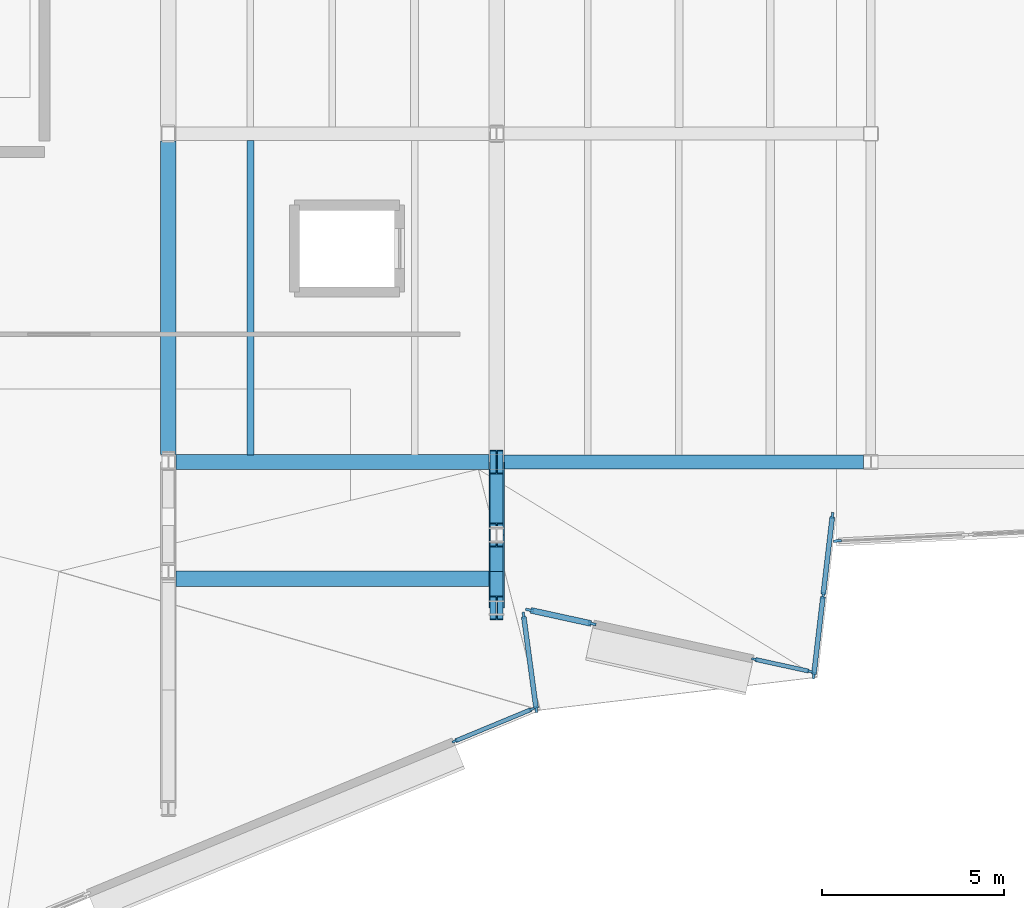
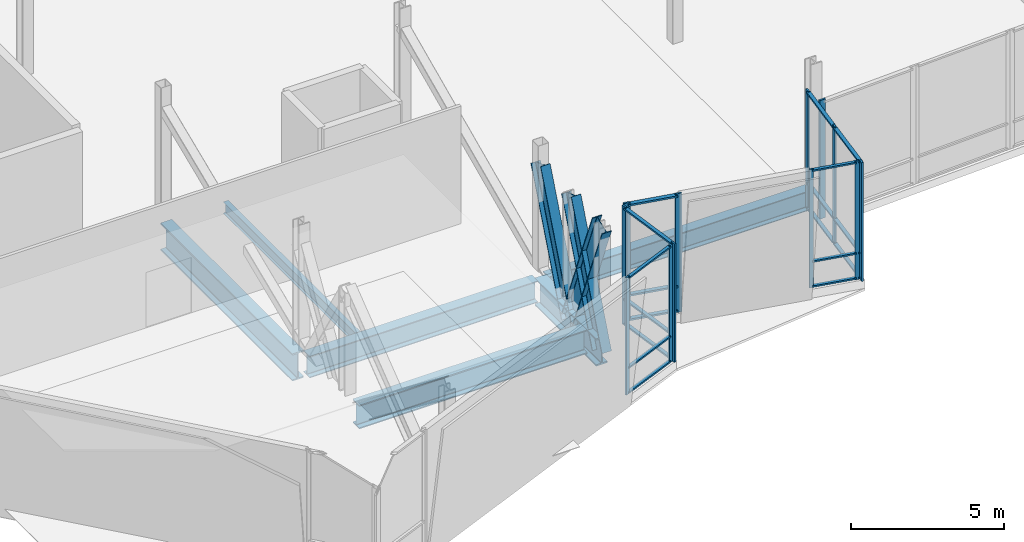
# One storey, part 16 of 73: 30 members, 10 beams, 6 elements without a shape of their own.
"""IFC4 building model written with IfcOpenShell, lengths in metres."""

import ifcopenshell
import ifcopenshell.guid

model = None  # the IFC model being written
_history = None  # IfcOwnerHistory: only IFC2X3 demands one
_inside = {}  # id of a spatial element -> (the spatial element, [elements in it])
_under = {}  # id of a project, library or spatial element -> (it, [spatial elements below it])
_declared = {}  # id of a project -> (the project, [libraries it declares])
_typed = {}  # id of a type object -> (the type object, [elements of that type])
_made_of = {}  # id of a material, layer set ... -> (it, [elements and type objects made of it])


def new_model(schema):
    """Start an empty IFC model of exactly this schema.

    Asked for "IFC4X3", IfcOpenShell would pick the latest addendum, in which some entities
    have other attributes; the version numbers below select the first issue.
    IFC2X3 requires an IfcOwnerHistory on every rooted entity: one is made here for all.
    """
    global model, _history
    if schema == "IFC4X3":
        model = ifcopenshell.file(schema_version=(4, 3, 0, 0))
    else:
        model = ifcopenshell.file(schema=schema)
    _inside.clear()
    _under.clear()
    _declared.clear()
    _typed.clear()
    _made_of.clear()
    _history = None
    if model.schema == "IFC2X3":
        org = make("IfcOrganization", Name="unknown")
        user = make(
            "IfcPersonAndOrganization",
            ThePerson=make("IfcPerson", FamilyName="unknown"),
            TheOrganization=org,
        )
        app = make(
            "IfcApplication",
            ApplicationDeveloper=org,
            Version="unknown",
            ApplicationFullName="unknown",
            ApplicationIdentifier="unknown",
        )
        _history = make(
            "IfcOwnerHistory",
            OwningUser=user,
            OwningApplication=app,
            ChangeAction="ADDED",
            CreationDate=0,
        )
    return model


def make(cls, **values):
    """One entity of the class cls with the attributes given. An attribute that is None is left unset."""
    return model.create_entity(
        cls, **{name: value for name, value in values.items() if value is not None}
    )


def rooted(cls, **values):
    """An entity with a GlobalId (a new one), such as an element, a storey or a relation."""
    return make(cls, GlobalId=ifcopenshell.guid.new(), OwnerHistory=_history, **values)


def si_unit(unit_type, name, prefix=None):
    """IfcSIUnit, for example si_unit("LENGTHUNIT", "METRE", prefix="MILLI")."""
    return make("IfcSIUnit", UnitType=unit_type, Prefix=prefix, Name=name)


def assignment(units):
    """IfcUnitAssignment: the units of a project."""
    return None if units is None else make("IfcUnitAssignment", Units=units)


def point(xyz):
    """IfcCartesianPoint."""
    return None if xyz is None else make("IfcCartesianPoint", Coordinates=xyz)


def direction(xyz):
    """IfcDirection."""
    return None if xyz is None else make("IfcDirection", DirectionRatios=xyz)


def frame(location, z_axis=None, x_axis=None):
    """IfcAxis2Placement3D, a coordinate frame: its origin and axes. An axis left out is left unset."""
    return make(
        "IfcAxis2Placement3D",
        Location=point(location),
        Axis=direction(z_axis),
        RefDirection=direction(x_axis),
    )


def frame_2d(location, x_axis=None):
    """IfcAxis2Placement2D, a coordinate frame in the plane: its origin and x axis."""
    return make(
        "IfcAxis2Placement2D", Location=point(location), RefDirection=direction(x_axis)
    )


def origin():
    """The frame at (0, 0, 0) with its axes left unset."""
    return frame((0.0, 0.0, 0.0))


def origin_2d():
    """The frame at (0, 0) in the plane with its x axis left unset."""
    return frame_2d((0.0, 0.0))


def place(relative_to, where):
    """IfcLocalPlacement: puts the frame where relative to a parent placement (None: the world)."""
    return make(
        "IfcLocalPlacement", PlacementRelTo=relative_to, RelativePlacement=where
    )


def context(
    kind, dimensions, precision=None, world=None, true_north=None, identifier=None
):
    """IfcGeometricRepresentationContext, for example the 3D "Model" context."""
    return make(
        "IfcGeometricRepresentationContext",
        ContextIdentifier=identifier,
        ContextType=kind,
        CoordinateSpaceDimension=dimensions,
        Precision=precision,
        WorldCoordinateSystem=world,
        TrueNorth=true_north,
    )


def subcontext(parent, identifier, kind, view, scale=None):
    """IfcGeometricRepresentationSubContext, for example "Body" below "Model"."""
    return make(
        "IfcGeometricRepresentationSubContext",
        ContextIdentifier=identifier,
        ContextType=kind,
        ParentContext=parent,
        TargetScale=scale,
        TargetView=view,
    )


def project(units=None, contexts=None):
    """IfcProject with its units and contexts."""
    return rooted(
        "IfcProject",
        Name="project",
        RepresentationContexts=contexts,
        UnitsInContext=assignment(units),
    )


def spatial(cls, under=None, at=None, **own):
    """A site, building, storey or space (cls), placed at a placement, below another one or the project."""
    s = rooted(cls, ObjectPlacement=at, **own)
    if under is not None:
        _under.setdefault(under.id(), (under, []))[1].append(s)
    return s


def profile(cls, at=None, kind="AREA", **sizes):
    """A parametric profile (cls). Its sizes go by their IFC names, for example OverallWidth=200.0."""
    return make(cls, ProfileType=kind, Position=at, **sizes)


def rectangle(**sizes):
    """IfcRectangleProfileDef."""
    return profile("IfcRectangleProfileDef", **sizes)


def i_section(**sizes):
    """IfcIShapeProfileDef."""
    return profile("IfcIShapeProfileDef", **sizes)


def extrude(swept, where, along, depth):
    """IfcExtrudedAreaSolid: the profile swept, set in the frame where, extruded along a direction by depth."""
    return make(
        "IfcExtrudedAreaSolid",
        SweptArea=swept,
        Position=where,
        ExtrudedDirection=direction(along),
        Depth=depth,
    )


def shape(context_of_items, identifier, shape_type, items):
    """IfcShapeRepresentation: the items that make up one representation, for example the "Body"."""
    return make(
        "IfcShapeRepresentation",
        ContextOfItems=context_of_items,
        RepresentationIdentifier=identifier,
        RepresentationType=shape_type,
        Items=items,
    )


def material(Name=None, Category=None):
    """IfcMaterial."""
    return make("IfcMaterial", Name=Name, Category=Category)


def material_profile(
    of_material, cross_section, Name=None, Category=None, Priority=None
):
    """IfcMaterialProfile: a cross section and its material."""
    return make(
        "IfcMaterialProfile",
        Name=Name,
        Material=of_material,
        Profile=cross_section,
        Priority=Priority,
        Category=Category,
    )


def profile_set(profiles, Name=None, composite=None):
    """IfcMaterialProfileSet."""
    return make(
        "IfcMaterialProfileSet",
        Name=Name,
        MaterialProfiles=profiles,
        CompositeProfile=composite,
    )


def made_of(thing, what):
    """Note that an element or type object is made of a material, layer set ...; save() writes the relation."""
    if what is not None:
        _made_of.setdefault(what.id(), (what, []))[1].append(thing)
    return thing


def type_object(cls, material=None, **own):
    """A type object (cls), such as IfcWallType, which elements share."""
    return made_of(rooted(cls, **own), material)


def element(
    cls,
    number,
    at=None,
    inside=None,
    cuts=None,
    type_object=None,
    material=None,
    context=None,
    identifier="Body",
    shape_type=None,
    held_by="IfcProductDefinitionShape",
    body=None,
    shapes=None,
    **own,
):
    """One element of the class cls, such as IfcWall. Its Tag is "e" and its number.

    at: its placement. inside: the storey or other place that contains it. cuts: it is an
    opening in that element (IfcRelVoidsElement). A single representation is given by context,
    identifier, shape_type and body (its items); several are given by shapes. held_by: the class
    of the entity that holds the representations. save() writes the other relations.
    """
    e = rooted(cls, Tag="e%d" % number, ObjectPlacement=at, **own)
    if body is not None:
        shapes = [shape(context, identifier, shape_type, body)]
    if shapes is not None:
        e.Representation = make(held_by, Representations=shapes)
    if inside is not None:
        _inside.setdefault(inside.id(), (inside, []))[1].append(e)
    if cuts is not None:
        rooted(
            "IfcRelVoidsElement", RelatingBuildingElement=cuts, RelatedOpeningElement=e
        )
    if type_object is not None:
        _typed.setdefault(type_object.id(), (type_object, []))[1].append(e)
    return made_of(e, material)


def aggregate(whole, parts):
    """IfcRelAggregates: a whole, such as a stair, and the parts it consists of."""
    return rooted("IfcRelAggregates", RelatingObject=whole, RelatedObjects=parts)


def save(model, path):
    """Write the relations noted so far, then the file.

    IfcRelAggregates (storeys below a building ...), IfcRelContainedInSpatialStructure (elements
    in a storey), IfcRelDefinesByType, IfcRelAssociatesMaterial and IfcRelDeclares: one each for
    every whole, place, type object, material and project.
    """
    for whole, parts in _under.values():
        aggregate(whole, parts)
    for where, things in _inside.values():
        rooted(
            "IfcRelContainedInSpatialStructure",
            RelatedElements=things,
            RelatingStructure=where,
        )
    for kind, things in _typed.values():
        rooted("IfcRelDefinesByType", RelatedObjects=things, RelatingType=kind)
    for what, things in _made_of.values():
        rooted("IfcRelAssociatesMaterial", RelatedObjects=things, RelatingMaterial=what)
    for by, libraries in _declared.values():
        rooted("IfcRelDeclares", RelatingContext=by, RelatedDefinitions=libraries)
    model.write(path)


model = new_model("IFC4")

# Units and contexts
model_context = context("Model", 3, precision=1e-05, world=origin(), true_north=direction((0.0, 1.0)))
body_context = subcontext(model_context, "Body", "Model", "MODEL_VIEW")
ifc_project = project(units=[si_unit("LENGTHUNIT", "METRE"), si_unit("AREAUNIT", "SQUARE_METRE"), si_unit("VOLUMEUNIT", "CUBIC_METRE"), si_unit("PLANEANGLEUNIT", "RADIAN"), si_unit("MASSUNIT", "GRAM", prefix="KILO")], contexts=[model_context])

# Site, building, storey
site_placement = place(None, origin())
site = spatial("IfcSite", under=ifc_project, at=site_placement, CompositionType="ELEMENT")
building_placement = place(site_placement, origin())
building = spatial("IfcBuilding", under=site, at=building_placement, Name="Trimount Lyric Opera House", CompositionType="ELEMENT")
storey_placement = place(building_placement, frame((0.0, 0.0, 10.0)))
storey = spatial("IfcBuildingStorey", under=building, at=storey_placement, Name="L02", CompositionType="ELEMENT", Elevation=10.0)

# Beams
ifc_material_1 = material(Name="Steel ASTM A992 Grade 50", Category="steel")
ifc_material_profile_1 = material_profile(ifc_material_1, i_section(OverallWidth=0.424072265625, OverallDepth=0.947021484375, WebThickness=0.02392578125, FlangeThickness=0.042724609375, FilletRadius=0.02392578125, at=origin_2d()), Name="W36X302")
ifc_profile_set_1 = profile_set([ifc_material_profile_1], Name="Steel ASTM A992 Grade 50")
beam_type_1 = type_object("IfcBeamType", Name="B-01", PredefinedType="BEAM", material=ifc_profile_set_1)
beam_1_placement = place(storey_placement, frame((45.21337890625, 22.800048828125, -0.823486328125), z_axis=(1.0, 0.0, 0.0), x_axis=(0.0, 1.0, 0.0)))
element("IfcBeam", 1, at=beam_1_placement, inside=storey, type_object=beam_type_1, Name="L02 crystal transverse girder 45", PredefinedType="BEAM", context=body_context, shape_type="SweptSolid", body=[
    extrude(i_section(OverallWidth=0.424072265625, OverallDepth=0.947021484375, WebThickness=0.02392578125, FlangeThickness=0.042724609375, FilletRadius=0.02392578125, at=origin_2d()), origin(), (0.0, 0.0, 1.0), 8.5732421875),
])
ifc_material_2 = material(Name="Steel ASTM A992 Grade 50", Category="steel")
ifc_material_profile_2 = material_profile(ifc_material_2, i_section(OverallWidth=0.40087890625, OverallDepth=0.861083984375, WebThickness=0.019775390625, FlangeThickness=0.032470703125, FilletRadius=0.02001953125, at=origin_2d()), Name="W33X221")
ifc_profile_set_2 = profile_set([ifc_material_profile_2], Name="Steel ASTM A992 Grade 50")
beam_type_2 = type_object("IfcBeamType", Name="B-04", PredefinedType="BEAM", material=ifc_profile_set_2)
beam_2_placement = place(storey_placement, frame((45.202880859375, 26.0, -0.780517578125), z_axis=(1.0, 0.0, 0.0), x_axis=(0.0, 1.0, 0.0)))
element("IfcBeam", 2, at=beam_2_placement, inside=storey, type_object=beam_type_2, Name="L02 girder X-0714", PredefinedType="BEAM", context=body_context, shape_type="SweptSolid", body=[
    extrude(i_section(OverallWidth=0.40087890625, OverallDepth=0.861083984375, WebThickness=0.019775390625, FlangeThickness=0.032470703125, FilletRadius=0.02001953125, at=origin_2d()), origin(), (0.0, 0.0, 1.0), 8.593994140625),
])
ifc_material_3 = material(Name="Steel ASTM A992 Grade 50", Category="steel")
ifc_material_profile_3 = material_profile(ifc_material_3, i_section(OverallWidth=0.382080078125, OverallDepth=0.779052734375, WebThickness=0.01806640625, FlangeThickness=0.0302734375, FilletRadius=0.01904296875, at=origin_2d()), Name="W30X191")
ifc_profile_set_3 = profile_set([ifc_material_profile_3], Name="Steel ASTM A992 Grade 50")
beam_type_3 = type_object("IfcBeamType", Name="B-06", PredefinedType="BEAM", material=ifc_profile_set_3)
beam_3_placement = place(storey_placement, frame((54.203125, 26.0, -0.739501953125), z_axis=(1.0, 0.0, 0.0), x_axis=(0.0, 1.0, 0.0)))
element("IfcBeam", 3, at=beam_3_placement, inside=storey, type_object=beam_type_3, Name="L02 girder X-0715", PredefinedType="BEAM", context=body_context, shape_type="SweptSolid", body=[
    extrude(i_section(OverallWidth=0.382080078125, OverallDepth=0.779052734375, WebThickness=0.01806640625, FlangeThickness=0.0302734375, FilletRadius=0.01904296875, at=origin_2d()), origin(), (0.0, 0.0, 1.0), 9.853759765625),
])
ifc_material_4 = material(Name="Steel ASTM A992 Grade 50", Category="steel")
ifc_material_profile_4 = material_profile(ifc_material_4, i_section(OverallWidth=0.35595703125, OverallDepth=0.700927734375, WebThickness=0.016845703125, FlangeThickness=0.02734375, FilletRadius=0.01806640625, at=origin_2d()), Name="W27X161")
ifc_profile_set_4 = profile_set([ifc_material_profile_4], Name="Steel ASTM A992 Grade 50")
beam_type_4 = type_object("IfcBeamType", Name="CTW-01", PredefinedType="USERDEFINED", material=ifc_profile_set_4)
for number, where, z_axis, x_axis, name in (
    (4, (54.0, 26.0, 4.12890625), (0.0, -0.369802384, -0.929110433042), (1.0, 0.0, 0.0), "L02 crystal truss 3 web raker 1"),
    (5, (54.0, 24.0, 4.12890625), (0.0, -0.369802384, -0.929110433042), (1.0, 0.0, 0.0), "L02 crystal truss 3 web raker 2"),
    (6, (54.0, 22.0, 4.12890625), (0.0, 0.369802384, -0.929110433042), (-1.0, 0.0, 0.0), "L02 crystal truss 3 prow counter raker"),
):
    element("IfcBeam", number, at=place(storey_placement, frame(where, z_axis=z_axis, x_axis=x_axis)), inside=storey, type_object=beam_type_4, Name=name, ObjectType="RAKER", PredefinedType="USERDEFINED", context=body_context, shape_type="SweptSolid", body=[
        extrude(i_section(OverallWidth=0.35595703125, OverallDepth=0.700927734375, WebThickness=0.016845703125, FlangeThickness=0.02734375, FilletRadius=0.01806640625, at=origin_2d()), origin(), (0.0, 0.0, 1.0), 5.408203125),
    ])
ifc_material_5 = material(Name="Steel ASTM A992 Grade 50", Category="steel")
ifc_material_profile_5 = material_profile(ifc_material_5, i_section(OverallWidth=0.19091796875, OverallDepth=0.45703125, WebThickness=0.009033203125, FlangeThickness=0.014404296875, FilletRadius=0.010986328125, at=origin_2d()), Name="W18X50")
ifc_profile_set_5 = profile_set([ifc_material_profile_5], Name="Steel ASTM A992 Grade 50")
beam_type_5 = type_object("IfcBeamType", Name="J-04", PredefinedType="BEAM", material=ifc_profile_set_5)
beam_4_placement = place(storey_placement, frame((47.25, 26.196533203125, -0.57861328125), z_axis=(0.0, 1.0, 0.0), x_axis=(-1.0, 0.0, 0.0)))
element("IfcBeam", 7, at=beam_4_placement, inside=storey, type_object=beam_type_5, Name="L02 composite floor joist 0846", PredefinedType="BEAM", context=body_context, shape_type="SweptSolid", body=[
    extrude(i_section(OverallWidth=0.19091796875, OverallDepth=0.45703125, WebThickness=0.009033203125, FlangeThickness=0.014404296875, FilletRadius=0.010986328125, at=origin_2d()), origin(), (0.0, 0.0, 1.0), 8.616455078125),
])

# Curtain wall, member
ifc_material_6 = material(Name="Thermally Broken Aluminium and Low-E Glass", Category="aluminium")
curtain_wall_type_1 = type_object("IfcCurtainWallType", Name="CW-01", PredefinedType="NOTDEFINED", material=ifc_material_6)
curtain_wall_1_placement = place(storey_placement, origin())
curtain_wall_1 = element("IfcCurtainWall", 8, at=curtain_wall_1_placement, inside=storey, type_object=curtain_wall_type_1, Name="L02 curtain wall 186", PredefinedType="NOTDEFINED")
ifc_material_7 = material(Name="Anodised Aluminium 6063-T6", Category="aluminium")
ifc_material_profile_6 = material_profile(ifc_material_7, rectangle(XDim=0.070068359375, YDim=0.219970703125, at=origin_2d()), Name="ALU-MULL-70X220")
ifc_profile_set_6 = profile_set([ifc_material_profile_6], Name="Anodised Aluminium 6063-T6")
member_type_1 = type_object("IfcMemberType", Name="ML-01", PredefinedType="MULLION", material=ifc_profile_set_6)
member_1_placement = place(storey_placement, frame((63.347900390625, 23.835693359375, 0.0), z_axis=(0.0, 0.0, 1.0), x_axis=(0.04855957812, -0.998820287826, 0.0)))
member_1 = element("IfcMember", 9, at=member_1_placement, type_object=member_type_1, Name="CW-01 mullion 2", PredefinedType="MULLION", context=body_context, shape_type="SweptSolid", body=[
    extrude(rectangle(XDim=0.070068359375, YDim=0.219970703125, at=origin_2d()), origin(), (0.0, 0.0, 1.0), 4.719970703125),
])
aggregate(curtain_wall_1, [member_1])

# Curtain wall, members
ifc_material_8 = material(Name="Thermally Broken Aluminium and Low-E Glass", Category="aluminium")
curtain_wall_type_2 = type_object("IfcCurtainWallType", Name="CW-02", PredefinedType="NOTDEFINED", material=ifc_material_8)
curtain_wall_2_placement = place(storey_placement, origin())
curtain_wall_2 = element("IfcCurtainWall", 10, at=curtain_wall_2_placement, inside=storey, type_object=curtain_wall_type_2, Name="L02 crystal fold glazed slit 189", PredefinedType="NOTDEFINED")
member_2_placement = place(storey_placement, frame((56.621826171875, 21.564453125, 0.0), z_axis=(0.0, 0.0, 1.0), x_axis=(-0.213631700602, -0.97691427285, 0.0)))
member_2 = element("IfcMember", 11, at=member_2_placement, type_object=member_type_1, Name="CW-02 mullion 1", PredefinedType="MULLION", context=body_context, shape_type="SweptSolid", body=[
    extrude(rectangle(XDim=0.070068359375, YDim=0.219970703125, at=origin_2d()), origin(), (0.0, 0.0, 1.0), 4.719970703125),
])
member_3_placement = place(storey_placement, frame((54.902099609375, 21.9404296875, 0.0), z_axis=(0.0, 0.0, 1.0), x_axis=(-0.213631700602, -0.97691427285, 0.0)))
member_3 = element("IfcMember", 12, at=member_3_placement, type_object=member_type_1, Name="CW-02 mullion 2", PredefinedType="MULLION", context=body_context, shape_type="SweptSolid", body=[
    extrude(rectangle(XDim=0.070068359375, YDim=0.219970703125, at=origin_2d()), origin(), (0.0, 0.0, 1.0), 4.719970703125),
])

curtain_wall_3_placement = place(storey_placement, origin())
curtain_wall_3 = element("IfcCurtainWall", 13, at=curtain_wall_3_placement, inside=storey, type_object=curtain_wall_type_2, Name="L02 crystal fold glazed slit 187", PredefinedType="NOTDEFINED")
ifc_material_9 = material(Name="Anodised Aluminium 6063-T6", Category="aluminium")
ifc_material_profile_7 = material_profile(ifc_material_9, rectangle(XDim=0.06494140625, YDim=0.179931640625, at=origin_2d()), Name="ALU-MULL-65X180")
ifc_profile_set_7 = profile_set([ifc_material_profile_7], Name="Anodised Aluminium 6063-T6")
member_type_2 = type_object("IfcMemberType", Name="ML-02", PredefinedType="MULLION", material=ifc_profile_set_7)
member_4_placement = place(storey_placement, frame((63.207275390625, 24.52978515625, 0.0), z_axis=(0.0, 0.0, 1.0), x_axis=(0.993238705784, -0.116089936398, 0.0)))
member_4 = element("IfcMember", 14, at=member_4_placement, type_object=member_type_2, Name="CW-02 mullion 1", PredefinedType="MULLION", context=body_context, shape_type="SweptSolid", body=[
    extrude(rectangle(XDim=0.06494140625, YDim=0.179931640625, at=origin_2d()), origin(), (0.0, 0.0, 1.0), 4.719970703125),
])
member_5_placement = place(storey_placement, frame((62.950927734375, 22.33740234375, 0.0), z_axis=(0.0, 0.0, 1.0), x_axis=(0.993238705784, -0.116089936398, 0.0)))
member_5 = element("IfcMember", 15, at=member_5_placement, type_object=member_type_2, Name="CW-02 mullion 2", PredefinedType="MULLION", context=body_context, shape_type="SweptSolid", body=[
    extrude(rectangle(XDim=0.06494140625, YDim=0.179931640625, at=origin_2d()), origin(), (0.0, 0.0, 1.0), 4.719970703125),
])
member_6_placement = place(storey_placement, frame((62.69482421875, 20.145263671875, 0.0), z_axis=(0.0, 0.0, 1.0), x_axis=(0.993238705784, -0.116089936398, 0.0)))
member_6 = element("IfcMember", 16, at=member_6_placement, type_object=member_type_2, Name="CW-02 mullion 3", PredefinedType="MULLION", context=body_context, shape_type="SweptSolid", body=[
    extrude(rectangle(XDim=0.06494140625, YDim=0.179931640625, at=origin_2d()), origin(), (0.0, 0.0, 1.0), 4.719970703125),
])

curtain_wall_4_placement = place(storey_placement, origin())
curtain_wall_4 = element("IfcCurtainWall", 17, at=curtain_wall_4_placement, inside=storey, type_object=curtain_wall_type_2, Name="L02 crystal fold glazed slit 190", PredefinedType="NOTDEFINED")
member_7_placement = place(storey_placement, frame((54.7392578125, 21.793701171875, 0.0), z_axis=(0.0, 0.0, 1.0), x_axis=(0.991036792222, 0.13358920788, 0.0)))
member_7 = element("IfcMember", 18, at=member_7_placement, type_object=member_type_2, Name="CW-02 mullion 1", PredefinedType="MULLION", context=body_context, shape_type="SweptSolid", body=[
    extrude(rectangle(XDim=0.06494140625, YDim=0.179931640625, at=origin_2d()), origin(), (0.0, 0.0, 1.0), 4.719970703125),
])
member_8_placement = place(storey_placement, frame((55.086669921875, 19.21728515625, 0.0), z_axis=(0.0, 0.0, 1.0), x_axis=(0.991036792222, 0.13358920788, 0.0)))
member_8 = element("IfcMember", 19, at=member_8_placement, type_object=member_type_2, Name="CW-02 mullion 2", PredefinedType="MULLION", context=body_context, shape_type="SweptSolid", body=[
    extrude(rectangle(XDim=0.06494140625, YDim=0.179931640625, at=origin_2d()), origin(), (0.0, 0.0, 1.0), 4.719970703125),
])

curtain_wall_5_placement = place(storey_placement, origin())
curtain_wall_5 = element("IfcCurtainWall", 20, at=curtain_wall_5_placement, inside=storey, type_object=curtain_wall_type_2, Name="L02 crystal fold glazed slit 188", PredefinedType="NOTDEFINED")
ifc_material_10 = material(Name="Anodised Aluminium 6063-T6", Category="aluminium")
ifc_material_profile_8 = material_profile(ifc_material_10, rectangle(XDim=0.06005859375, YDim=0.14990234375, at=origin_2d()), Name="ALU-MULL-60X150")
ifc_profile_set_8 = profile_set([ifc_material_profile_8], Name="Anodised Aluminium 6063-T6")
member_type_3 = type_object("IfcMemberType", Name="ML-03", PredefinedType="MULLION", material=ifc_profile_set_8)
member_9_placement = place(storey_placement, frame((62.587646484375, 20.259521484375, 0.0), z_axis=(0.0, 0.0, 1.0), x_axis=(-0.213789013894, -0.976879858293, 0.0)))
member_9 = element("IfcMember", 21, at=member_9_placement, type_object=member_type_3, Name="CW-02 mullion 1", PredefinedType="MULLION", context=body_context, shape_type="SweptSolid", body=[
    extrude(rectangle(XDim=0.06005859375, YDim=0.14990234375, at=origin_2d()), origin(), (0.0, 0.0, 1.0), 4.719970703125),
])
member_10_placement = place(storey_placement, frame((61.065185546875, 20.592529296875, 0.0), z_axis=(0.0, 0.0, 1.0), x_axis=(-0.213789013894, -0.976879858293, 0.0)))
member_10 = element("IfcMember", 22, at=member_10_placement, type_object=member_type_3, Name="CW-02 mullion 2", PredefinedType="MULLION", context=body_context, shape_type="SweptSolid", body=[
    extrude(rectangle(XDim=0.06005859375, YDim=0.14990234375, at=origin_2d()), origin(), (0.0, 0.0, 1.0), 4.719970703125),
])

curtain_wall_6_placement = place(storey_placement, origin())
curtain_wall_6 = element("IfcCurtainWall", 23, at=curtain_wall_6_placement, inside=storey, type_object=curtain_wall_type_2, Name="L02 crystal fold glazed slit 191", PredefinedType="NOTDEFINED")
member_11_placement = place(storey_placement, frame((54.96630859375, 19.221435546875, 0.0), z_axis=(0.0, 0.0, 1.0), x_axis=(0.383015022702, -0.923742113571, 0.0)))
member_11 = element("IfcMember", 24, at=member_11_placement, type_object=member_type_3, Name="CW-02 mullion 1", PredefinedType="MULLION", context=body_context, shape_type="SweptSolid", body=[
    extrude(rectangle(XDim=0.06005859375, YDim=0.14990234375, at=origin_2d()), origin(), (0.0, 0.0, 1.0), 4.675048828125),
])
member_12_placement = place(storey_placement, frame((52.8486328125, 18.343505859375, 0.0), z_axis=(0.0, 0.0, 1.0), x_axis=(0.383015022702, -0.923742113571, 0.0)))
member_12 = element("IfcMember", 25, at=member_12_placement, type_object=member_type_3, Name="CW-02 mullion 2", PredefinedType="MULLION", context=body_context, shape_type="SweptSolid", body=[
    extrude(rectangle(XDim=0.06005859375, YDim=0.14990234375, at=origin_2d()), origin(), (0.0, 0.0, 1.0), 4.675048828125),
])

# Beams
ifc_material_11 = material(Name="Steel ASTM A992 Grade 50", Category="steel")
ifc_material_profile_9 = material_profile(ifc_material_11, i_section(OverallWidth=0.427001953125, OverallDepth=1.092041015625, WebThickness=0.031005859375, FlangeThickness=0.055908203125, FilletRadius=0.02490234375, at=origin_2d()), Name="W40X397")
ifc_profile_set_9 = profile_set([ifc_material_profile_9], Name="Steel ASTM A992 Grade 50")
beam_type_6 = type_object("IfcBeamType", Name="TG-02", PredefinedType="USERDEFINED", material=ifc_profile_set_9)
beam_5_placement = place(storey_placement, frame((45.0, 26.20849609375, -0.89599609375), z_axis=(0.0, 1.0, 0.0), x_axis=(-1.0, 0.0, 0.0)))
element("IfcBeam", 26, at=beam_5_placement, inside=storey, type_object=beam_type_6, Name="L02 girder Y-0853", ObjectType="TRANSFER_GIRDER", PredefinedType="USERDEFINED", context=body_context, shape_type="SweptSolid", body=[
    extrude(i_section(OverallWidth=0.427001953125, OverallDepth=1.092041015625, WebThickness=0.031005859375, FlangeThickness=0.055908203125, FilletRadius=0.02490234375, at=origin_2d()), origin(), (0.0, 0.0, 1.0), 8.58837890625),
])
for number, where, z_axis, x_axis, name in (
    (27, (54.0, 24.0, -0.89599609375), (0.0, 1.0, 0.0), (-1.0, 0.0, 0.0), "L02 crystal truss 3 inner chord"),
    (28, (54.0, 22.0, -0.89599609375), (0.0, 1.0, 0.0), (-1.0, 0.0, 0.0), "L02 crystal truss 3 prow chord"),
):
    element("IfcBeam", number, at=place(storey_placement, frame(where, z_axis=z_axis, x_axis=x_axis)), inside=storey, type_object=beam_type_6, Name=name, ObjectType="TRANSFER_GIRDER", PredefinedType="USERDEFINED", context=body_context, shape_type="SweptSolid", body=[
        extrude(i_section(OverallWidth=0.427001953125, OverallDepth=1.092041015625, WebThickness=0.031005859375, FlangeThickness=0.055908203125, FilletRadius=0.02490234375, at=origin_2d()), origin(), (0.0, 0.0, 1.0), 2.0),
    ])

# Member
ifc_material_12 = material(Name="Anodised Aluminium 6063-T6", Category="aluminium")
ifc_material_profile_10 = material_profile(ifc_material_12, rectangle(XDim=0.159912109375, YDim=0.070068359375, at=origin_2d()), Name="ALU-TRAN-70X160")
ifc_profile_set_10 = profile_set([ifc_material_profile_10], Name="Anodised Aluminium 6063-T6")
member_type_4 = type_object("IfcMemberType", Name="TR-01", PredefinedType="USERDEFINED", material=ifc_profile_set_10)
member_13_placement = place(storey_placement, frame((56.587646484375, 21.572021484375, 0.080078125), z_axis=(-0.976918858037, 0.213610731969, 0.0), x_axis=(-0.213610731969, -0.976918858037, 0.0)))
member_13 = element("IfcMember", 29, at=member_13_placement, type_object=member_type_4, Name="CW-02 transom 1.1", ObjectType="TRANSOM", PredefinedType="USERDEFINED", context=body_context, shape_type="SweptSolid", body=[
    extrude(rectangle(XDim=0.159912109375, YDim=0.070068359375, at=origin_2d()), origin(), (0.0, 0.0, 1.0), 1.6904296875),
])

member_14_placement = place(storey_placement, frame((56.587646484375, 21.572021484375, 1.050048828125), z_axis=(-0.976918858037, 0.213610731969, 0.0), x_axis=(-0.213610731969, -0.976918858037, 0.0)))
member_14 = element("IfcMember", 30, at=member_14_placement, type_object=member_type_4, Name="CW-02 transom 1.2", ObjectType="TRANSOM", PredefinedType="USERDEFINED", context=body_context, shape_type="SweptSolid", body=[
    extrude(rectangle(XDim=0.159912109375, YDim=0.070068359375, at=origin_2d()), origin(), (0.0, 0.0, 1.0), 1.6904296875),
])

member_15_placement = place(storey_placement, frame((56.587646484375, 21.572021484375, 4.639892578125), z_axis=(-0.976918858037, 0.213610731969, 0.0), x_axis=(-0.213610731969, -0.976918858037, 0.0)))
member_15 = element("IfcMember", 31, at=member_15_placement, type_object=member_type_4, Name="CW-02 transom 1.3", ObjectType="TRANSOM", PredefinedType="USERDEFINED", context=body_context, shape_type="SweptSolid", body=[
    extrude(rectangle(XDim=0.159912109375, YDim=0.070068359375, at=origin_2d()), origin(), (0.0, 0.0, 1.0), 1.6904296875),
])

aggregate(curtain_wall_2, [member_2, member_3, member_13, member_14, member_15])

ifc_material_13 = material(Name="Anodised Aluminium 6063-T6", Category="aluminium")
ifc_material_profile_11 = material_profile(ifc_material_13, rectangle(XDim=0.135009765625, YDim=0.06494140625, at=origin_2d()), Name="ALU-TRAN-65X135")
ifc_profile_set_11 = profile_set([ifc_material_profile_11], Name="Anodised Aluminium 6063-T6")
member_type_5 = type_object("IfcMemberType", Name="TR-02", PredefinedType="USERDEFINED", material=ifc_profile_set_11)
member_16_placement = place(storey_placement, frame((63.203369140625, 24.49755859375, 0.0673828125), z_axis=(-0.116021247608, -0.993246731736, 0.0), x_axis=(0.993246731736, -0.116021247608, 0.0)))
member_16 = element("IfcMember", 32, at=member_16_placement, type_object=member_type_5, Name="CW-02 transom 1.1", ObjectType="TRANSOM", PredefinedType="USERDEFINED", context=body_context, shape_type="SweptSolid", body=[
    extrude(rectangle(XDim=0.135009765625, YDim=0.06494140625, at=origin_2d()), origin(), (0.0, 0.0, 1.0), 2.14208984375),
])

member_17_placement = place(storey_placement, frame((63.203369140625, 24.49755859375, 1.050048828125), z_axis=(-0.116021247608, -0.993246731736, 0.0), x_axis=(0.993246731736, -0.116021247608, 0.0)))
member_17 = element("IfcMember", 33, at=member_17_placement, type_object=member_type_5, Name="CW-02 transom 1.2", ObjectType="TRANSOM", PredefinedType="USERDEFINED", context=body_context, shape_type="SweptSolid", body=[
    extrude(rectangle(XDim=0.135009765625, YDim=0.06494140625, at=origin_2d()), origin(), (0.0, 0.0, 1.0), 2.14208984375),
])

member_18_placement = place(storey_placement, frame((63.203369140625, 24.49755859375, 4.652587890625), z_axis=(-0.116021247608, -0.993246731736, 0.0), x_axis=(0.993246731736, -0.116021247608, 0.0)))
member_18 = element("IfcMember", 34, at=member_18_placement, type_object=member_type_5, Name="CW-02 transom 1.3", ObjectType="TRANSOM", PredefinedType="USERDEFINED", context=body_context, shape_type="SweptSolid", body=[
    extrude(rectangle(XDim=0.135009765625, YDim=0.06494140625, at=origin_2d()), origin(), (0.0, 0.0, 1.0), 2.14208984375),
])

member_19_placement = place(storey_placement, frame((62.947265625, 22.30517578125, 0.0673828125), z_axis=(-0.11613368103, -0.993233591926, 0.0), x_axis=(0.993233591926, -0.11613368103, 0.0)))
member_19 = element("IfcMember", 35, at=member_19_placement, type_object=member_type_5, Name="CW-02 transom 2.1", ObjectType="TRANSOM", PredefinedType="USERDEFINED", context=body_context, shape_type="SweptSolid", body=[
    extrude(rectangle(XDim=0.135009765625, YDim=0.06494140625, at=origin_2d()), origin(), (0.0, 0.0, 1.0), 2.14208984375),
])

member_20_placement = place(storey_placement, frame((62.947265625, 22.30517578125, 1.050048828125), z_axis=(-0.11613368103, -0.993233591926, 0.0), x_axis=(0.993233591926, -0.11613368103, 0.0)))
member_20 = element("IfcMember", 36, at=member_20_placement, type_object=member_type_5, Name="CW-02 transom 2.2", ObjectType="TRANSOM", PredefinedType="USERDEFINED", context=body_context, shape_type="SweptSolid", body=[
    extrude(rectangle(XDim=0.135009765625, YDim=0.06494140625, at=origin_2d()), origin(), (0.0, 0.0, 1.0), 2.14208984375),
])

member_21_placement = place(storey_placement, frame((62.947265625, 22.30517578125, 4.652587890625), z_axis=(-0.11613368103, -0.993233591926, 0.0), x_axis=(0.993233591926, -0.11613368103, 0.0)))
member_21 = element("IfcMember", 37, at=member_21_placement, type_object=member_type_5, Name="CW-02 transom 2.3", ObjectType="TRANSOM", PredefinedType="USERDEFINED", context=body_context, shape_type="SweptSolid", body=[
    extrude(rectangle(XDim=0.135009765625, YDim=0.06494140625, at=origin_2d()), origin(), (0.0, 0.0, 1.0), 2.14208984375),
])

aggregate(curtain_wall_3, [member_4, member_5, member_6, member_16, member_17, member_18, member_19, member_20, member_21])

member_22_placement = place(storey_placement, frame((54.74365234375, 21.761474609375, 0.0673828125), z_axis=(0.133595762972, -0.991035908591, 0.0), x_axis=(0.991035908591, 0.133595762972, 0.0)))
member_22 = element("IfcMember", 38, at=member_22_placement, type_object=member_type_5, Name="CW-02 transom 1.1", ObjectType="TRANSOM", PredefinedType="USERDEFINED", context=body_context, shape_type="SweptSolid", body=[
    extrude(rectangle(XDim=0.135009765625, YDim=0.06494140625, at=origin_2d()), origin(), (0.0, 0.0, 1.0), 2.53466796875),
])

member_23_placement = place(storey_placement, frame((54.74365234375, 21.761474609375, 1.050048828125), z_axis=(0.133595762972, -0.991035908591, 0.0), x_axis=(0.991035908591, 0.133595762972, 0.0)))
member_23 = element("IfcMember", 39, at=member_23_placement, type_object=member_type_5, Name="CW-02 transom 1.2", ObjectType="TRANSOM", PredefinedType="USERDEFINED", context=body_context, shape_type="SweptSolid", body=[
    extrude(rectangle(XDim=0.135009765625, YDim=0.06494140625, at=origin_2d()), origin(), (0.0, 0.0, 1.0), 2.53466796875),
])

member_24_placement = place(storey_placement, frame((54.74365234375, 21.761474609375, 4.652587890625), z_axis=(0.133595762972, -0.991035908591, 0.0), x_axis=(0.991035908591, 0.133595762972, 0.0)))
member_24 = element("IfcMember", 40, at=member_24_placement, type_object=member_type_5, Name="CW-02 transom 1.3", ObjectType="TRANSOM", PredefinedType="USERDEFINED", context=body_context, shape_type="SweptSolid", body=[
    extrude(rectangle(XDim=0.135009765625, YDim=0.06494140625, at=origin_2d()), origin(), (0.0, 0.0, 1.0), 2.53466796875),
])

aggregate(curtain_wall_4, [member_7, member_8, member_22, member_23, member_24])

ifc_material_14 = material(Name="Anodised Aluminium 6063-T6", Category="aluminium")
ifc_material_profile_12 = material_profile(ifc_material_14, rectangle(XDim=0.114990234375, YDim=0.06005859375, at=origin_2d()), Name="ALU-TRAN-60X115")
ifc_profile_set_12 = profile_set([ifc_material_profile_12], Name="Anodised Aluminium 6063-T6")
member_type_6 = type_object("IfcMemberType", Name="TR-03", PredefinedType="USERDEFINED", material=ifc_profile_set_12)
member_25_placement = place(storey_placement, frame((62.558349609375, 20.265869140625, 0.0576171875), z_axis=(-0.976879815242, 0.213789210608, 0.0), x_axis=(-0.213789210608, -0.976879815242, 0.0)))
member_25 = element("IfcMember", 41, at=member_25_placement, type_object=member_type_6, Name="CW-02 transom 1.1", ObjectType="TRANSOM", PredefinedType="USERDEFINED", context=body_context, shape_type="SweptSolid", body=[
    extrude(rectangle(XDim=0.114990234375, YDim=0.06005859375, at=origin_2d()), origin(), (0.0, 0.0, 1.0), 1.498291015625),
])

member_26_placement = place(storey_placement, frame((62.558349609375, 20.265869140625, 1.050048828125), z_axis=(-0.976879815242, 0.213789210608, 0.0), x_axis=(-0.213789210608, -0.976879815242, 0.0)))
member_26 = element("IfcMember", 42, at=member_26_placement, type_object=member_type_6, Name="CW-02 transom 1.2", ObjectType="TRANSOM", PredefinedType="USERDEFINED", context=body_context, shape_type="SweptSolid", body=[
    extrude(rectangle(XDim=0.114990234375, YDim=0.06005859375, at=origin_2d()), origin(), (0.0, 0.0, 1.0), 1.498291015625),
])

member_27_placement = place(storey_placement, frame((62.558349609375, 20.265869140625, 4.66259765625), z_axis=(-0.976879815242, 0.213789210608, 0.0), x_axis=(-0.213789210608, -0.976879815242, 0.0)))
member_27 = element("IfcMember", 43, at=member_27_placement, type_object=member_type_6, Name="CW-02 transom 1.3", ObjectType="TRANSOM", PredefinedType="USERDEFINED", context=body_context, shape_type="SweptSolid", body=[
    extrude(rectangle(XDim=0.114990234375, YDim=0.06005859375, at=origin_2d()), origin(), (0.0, 0.0, 1.0), 1.498291015625),
])

aggregate(curtain_wall_5, [member_9, member_10, member_25, member_26, member_27])

member_28_placement = place(storey_placement, frame((54.9384765625, 19.2099609375, 0.0576171875), z_axis=(-0.923742113572, -0.3830150227, 0.0), x_axis=(0.3830150227, -0.923742113572, 0.0)))
member_28 = element("IfcMember", 44, at=member_28_placement, type_object=member_type_6, Name="CW-02 transom 1.1", ObjectType="TRANSOM", PredefinedType="USERDEFINED", context=body_context, shape_type="SweptSolid", body=[
    extrude(rectangle(XDim=0.114990234375, YDim=0.06005859375, at=origin_2d()), origin(), (0.0, 0.0, 1.0), 2.232177734375),
])

member_29_placement = place(storey_placement, frame((54.9384765625, 19.2099609375, 1.050048828125), z_axis=(-0.923742113572, -0.3830150227, 0.0), x_axis=(0.3830150227, -0.923742113572, 0.0)))
member_29 = element("IfcMember", 45, at=member_29_placement, type_object=member_type_6, Name="CW-02 transom 1.2", ObjectType="TRANSOM", PredefinedType="USERDEFINED", context=body_context, shape_type="SweptSolid", body=[
    extrude(rectangle(XDim=0.114990234375, YDim=0.06005859375, at=origin_2d()), origin(), (0.0, 0.0, 1.0), 2.232177734375),
])

member_30_placement = place(storey_placement, frame((54.9384765625, 19.2099609375, 4.617431640625), z_axis=(-0.923742113572, -0.3830150227, 0.0), x_axis=(0.3830150227, -0.923742113572, 0.0)))
member_30 = element("IfcMember", 46, at=member_30_placement, type_object=member_type_6, Name="CW-02 transom 1.3", ObjectType="TRANSOM", PredefinedType="USERDEFINED", context=body_context, shape_type="SweptSolid", body=[
    extrude(rectangle(XDim=0.114990234375, YDim=0.06005859375, at=origin_2d()), origin(), (0.0, 0.0, 1.0), 2.232177734375),
])

aggregate(curtain_wall_6, [member_11, member_12, member_28, member_29, member_30])

save(model, "model.ifc")
